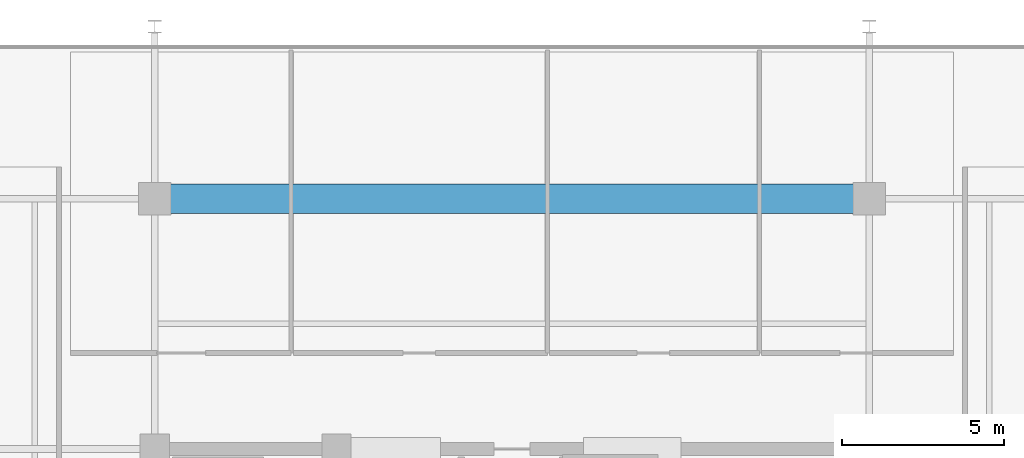
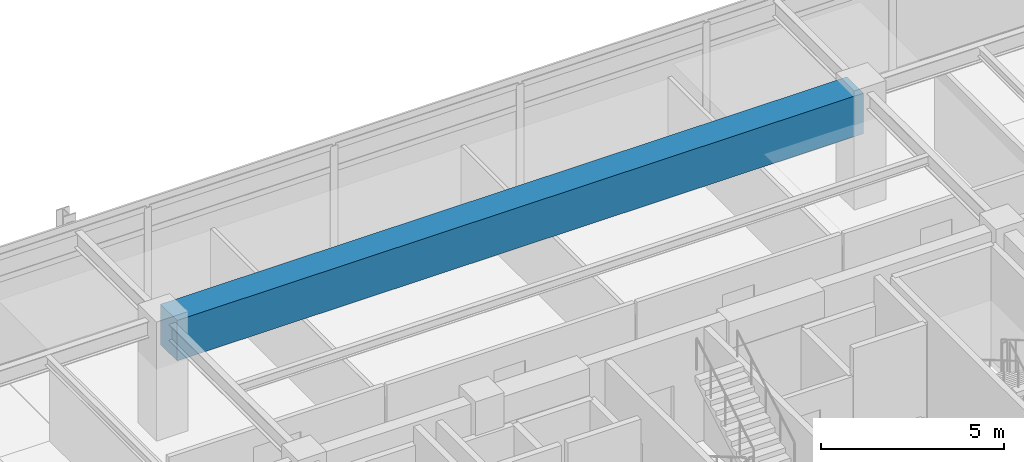
# One storey, part 9 of 21: 1 beam.
"""IFC4 building model written with IfcOpenShell, lengths in metres."""

import ifcopenshell
import ifcopenshell.guid

model = None  # the IFC model being written
_history = None  # IfcOwnerHistory: only IFC2X3 demands one
_inside = {}  # id of a spatial element -> (the spatial element, [elements in it])
_under = {}  # id of a project, library or spatial element -> (it, [spatial elements below it])
_declared = {}  # id of a project -> (the project, [libraries it declares])
_typed = {}  # id of a type object -> (the type object, [elements of that type])
_made_of = {}  # id of a material, layer set ... -> (it, [elements and type objects made of it])


def new_model(schema):
    """Start an empty IFC model of exactly this schema.

    Asked for "IFC4X3", IfcOpenShell would pick the latest addendum, in which some entities
    have other attributes; the version numbers below select the first issue.
    IFC2X3 requires an IfcOwnerHistory on every rooted entity: one is made here for all.
    """
    global model, _history
    if schema == "IFC4X3":
        model = ifcopenshell.file(schema_version=(4, 3, 0, 0))
    else:
        model = ifcopenshell.file(schema=schema)
    _inside.clear()
    _under.clear()
    _declared.clear()
    _typed.clear()
    _made_of.clear()
    _history = None
    if model.schema == "IFC2X3":
        org = make("IfcOrganization", Name="unknown")
        user = make(
            "IfcPersonAndOrganization",
            ThePerson=make("IfcPerson", FamilyName="unknown"),
            TheOrganization=org,
        )
        app = make(
            "IfcApplication",
            ApplicationDeveloper=org,
            Version="unknown",
            ApplicationFullName="unknown",
            ApplicationIdentifier="unknown",
        )
        _history = make(
            "IfcOwnerHistory",
            OwningUser=user,
            OwningApplication=app,
            ChangeAction="ADDED",
            CreationDate=0,
        )
    return model


def make(cls, **values):
    """One entity of the class cls with the attributes given. An attribute that is None is left unset."""
    return model.create_entity(
        cls, **{name: value for name, value in values.items() if value is not None}
    )


def rooted(cls, **values):
    """An entity with a GlobalId (a new one), such as an element, a storey or a relation."""
    return make(cls, GlobalId=ifcopenshell.guid.new(), OwnerHistory=_history, **values)


def si_unit(unit_type, name, prefix=None):
    """IfcSIUnit, for example si_unit("LENGTHUNIT", "METRE", prefix="MILLI")."""
    return make("IfcSIUnit", UnitType=unit_type, Prefix=prefix, Name=name)


def assignment(units):
    """IfcUnitAssignment: the units of a project."""
    return None if units is None else make("IfcUnitAssignment", Units=units)


def point(xyz):
    """IfcCartesianPoint."""
    return None if xyz is None else make("IfcCartesianPoint", Coordinates=xyz)


def direction(xyz):
    """IfcDirection."""
    return None if xyz is None else make("IfcDirection", DirectionRatios=xyz)


def frame(location, z_axis=None, x_axis=None):
    """IfcAxis2Placement3D, a coordinate frame: its origin and axes. An axis left out is left unset."""
    return make(
        "IfcAxis2Placement3D",
        Location=point(location),
        Axis=direction(z_axis),
        RefDirection=direction(x_axis),
    )


def frame_2d(location, x_axis=None):
    """IfcAxis2Placement2D, a coordinate frame in the plane: its origin and x axis."""
    return make(
        "IfcAxis2Placement2D", Location=point(location), RefDirection=direction(x_axis)
    )


def origin():
    """The frame at (0, 0, 0) with its axes left unset."""
    return frame((0.0, 0.0, 0.0))


def origin_2d():
    """The frame at (0, 0) in the plane with its x axis left unset."""
    return frame_2d((0.0, 0.0))


def place(relative_to, where):
    """IfcLocalPlacement: puts the frame where relative to a parent placement (None: the world)."""
    return make(
        "IfcLocalPlacement", PlacementRelTo=relative_to, RelativePlacement=where
    )


def context(
    kind, dimensions, precision=None, world=None, true_north=None, identifier=None
):
    """IfcGeometricRepresentationContext, for example the 3D "Model" context."""
    return make(
        "IfcGeometricRepresentationContext",
        ContextIdentifier=identifier,
        ContextType=kind,
        CoordinateSpaceDimension=dimensions,
        Precision=precision,
        WorldCoordinateSystem=world,
        TrueNorth=true_north,
    )


def subcontext(parent, identifier, kind, view, scale=None):
    """IfcGeometricRepresentationSubContext, for example "Body" below "Model"."""
    return make(
        "IfcGeometricRepresentationSubContext",
        ContextIdentifier=identifier,
        ContextType=kind,
        ParentContext=parent,
        TargetScale=scale,
        TargetView=view,
    )


def project(units=None, contexts=None):
    """IfcProject with its units and contexts."""
    return rooted(
        "IfcProject",
        Name="project",
        RepresentationContexts=contexts,
        UnitsInContext=assignment(units),
    )


def spatial(cls, under=None, at=None, **own):
    """A site, building, storey or space (cls), placed at a placement, below another one or the project."""
    s = rooted(cls, ObjectPlacement=at, **own)
    if under is not None:
        _under.setdefault(under.id(), (under, []))[1].append(s)
    return s


def profile(cls, at=None, kind="AREA", **sizes):
    """A parametric profile (cls). Its sizes go by their IFC names, for example OverallWidth=200.0."""
    return make(cls, ProfileType=kind, Position=at, **sizes)


def rectangle(**sizes):
    """IfcRectangleProfileDef."""
    return profile("IfcRectangleProfileDef", **sizes)


def extrude(swept, where, along, depth):
    """IfcExtrudedAreaSolid: the profile swept, set in the frame where, extruded along a direction by depth."""
    return make(
        "IfcExtrudedAreaSolid",
        SweptArea=swept,
        Position=where,
        ExtrudedDirection=direction(along),
        Depth=depth,
    )


def shape(context_of_items, identifier, shape_type, items):
    """IfcShapeRepresentation: the items that make up one representation, for example the "Body"."""
    return make(
        "IfcShapeRepresentation",
        ContextOfItems=context_of_items,
        RepresentationIdentifier=identifier,
        RepresentationType=shape_type,
        Items=items,
    )


def material(Name=None, Category=None):
    """IfcMaterial."""
    return make("IfcMaterial", Name=Name, Category=Category)


def material_profile(
    of_material, cross_section, Name=None, Category=None, Priority=None
):
    """IfcMaterialProfile: a cross section and its material."""
    return make(
        "IfcMaterialProfile",
        Name=Name,
        Material=of_material,
        Profile=cross_section,
        Priority=Priority,
        Category=Category,
    )


def profile_set(profiles, Name=None, composite=None):
    """IfcMaterialProfileSet."""
    return make(
        "IfcMaterialProfileSet",
        Name=Name,
        MaterialProfiles=profiles,
        CompositeProfile=composite,
    )


def made_of(thing, what):
    """Note that an element or type object is made of a material, layer set ...; save() writes the relation."""
    if what is not None:
        _made_of.setdefault(what.id(), (what, []))[1].append(thing)
    return thing


def type_object(cls, material=None, **own):
    """A type object (cls), such as IfcWallType, which elements share."""
    return made_of(rooted(cls, **own), material)


def element(
    cls,
    number,
    at=None,
    inside=None,
    cuts=None,
    type_object=None,
    material=None,
    context=None,
    identifier="Body",
    shape_type=None,
    held_by="IfcProductDefinitionShape",
    body=None,
    shapes=None,
    **own,
):
    """One element of the class cls, such as IfcWall. Its Tag is "e" and its number.

    at: its placement. inside: the storey or other place that contains it. cuts: it is an
    opening in that element (IfcRelVoidsElement). A single representation is given by context,
    identifier, shape_type and body (its items); several are given by shapes. held_by: the class
    of the entity that holds the representations. save() writes the other relations.
    """
    e = rooted(cls, Tag="e%d" % number, ObjectPlacement=at, **own)
    if body is not None:
        shapes = [shape(context, identifier, shape_type, body)]
    if shapes is not None:
        e.Representation = make(held_by, Representations=shapes)
    if inside is not None:
        _inside.setdefault(inside.id(), (inside, []))[1].append(e)
    if cuts is not None:
        rooted(
            "IfcRelVoidsElement", RelatingBuildingElement=cuts, RelatedOpeningElement=e
        )
    if type_object is not None:
        _typed.setdefault(type_object.id(), (type_object, []))[1].append(e)
    return made_of(e, material)


def aggregate(whole, parts):
    """IfcRelAggregates: a whole, such as a stair, and the parts it consists of."""
    return rooted("IfcRelAggregates", RelatingObject=whole, RelatedObjects=parts)


def save(model, path):
    """Write the relations noted so far, then the file.

    IfcRelAggregates (storeys below a building ...), IfcRelContainedInSpatialStructure (elements
    in a storey), IfcRelDefinesByType, IfcRelAssociatesMaterial and IfcRelDeclares: one each for
    every whole, place, type object, material and project.
    """
    for whole, parts in _under.values():
        aggregate(whole, parts)
    for where, things in _inside.values():
        rooted(
            "IfcRelContainedInSpatialStructure",
            RelatedElements=things,
            RelatingStructure=where,
        )
    for kind, things in _typed.values():
        rooted("IfcRelDefinesByType", RelatedObjects=things, RelatingType=kind)
    for what, things in _made_of.values():
        rooted("IfcRelAssociatesMaterial", RelatedObjects=things, RelatingMaterial=what)
    for by, libraries in _declared.values():
        rooted("IfcRelDeclares", RelatingContext=by, RelatedDefinitions=libraries)
    model.write(path)


model = new_model("IFC4")

# Units and contexts
model_context = context("Model", 3, precision=1e-05, world=origin(), true_north=direction((0.0, 1.0)))
body_context = subcontext(model_context, "Body", "Model", "MODEL_VIEW")
ifc_project = project(units=[si_unit("LENGTHUNIT", "METRE"), si_unit("AREAUNIT", "SQUARE_METRE"), si_unit("VOLUMEUNIT", "CUBIC_METRE"), si_unit("PLANEANGLEUNIT", "RADIAN"), si_unit("MASSUNIT", "GRAM", prefix="KILO")], contexts=[model_context])

# Site, building, storey
site_placement = place(None, origin())
site = spatial("IfcSite", under=ifc_project, at=site_placement, CompositionType="ELEMENT")
building_placement = place(site_placement, origin())
building = spatial("IfcBuilding", under=site, at=building_placement, Name="Kovane Verandah Tower", CompositionType="ELEMENT")
storey_placement = place(building_placement, frame((0.0, 0.0, 310.800048828125)))
storey = spatial("IfcBuildingStorey", under=building, at=storey_placement, Name="L72", CompositionType="ELEMENT", Elevation=310.800048828125)

# Beam
ifc_material = material(Name="Concrete C80/95", Category="concrete")
ifc_material_profile = material_profile(ifc_material, rectangle(XDim=0.89990234375, YDim=1.35009765625, at=origin_2d()), Name="RCB900x1350")
ifc_profile_set = profile_set([ifc_material_profile], Name="Concrete C80/95")
beam_type = type_object("IfcBeamType", Name="BM-TR-900x1350", PredefinedType="BEAM", material=ifc_profile_set)
beam_placement = place(storey_placement, frame((29.179931640625, 44.199951171875, 3.10986328125), z_axis=(1.0, 0.0, 0.0), x_axis=(0.0, 1.0, 0.0)))
element("IfcBeam", 1, at=beam_placement, inside=storey, type_object=beam_type, Name="L72 Primary Tower Girder G-RN2", PredefinedType="BEAM", context=body_context, shape_type="SweptSolid", body=[
    extrude(rectangle(XDim=0.89990234375, YDim=1.35009765625, at=origin_2d()), origin(), (0.0, 0.0, 1.0), 21.64013671875),
])

save(model, "model.ifc")
